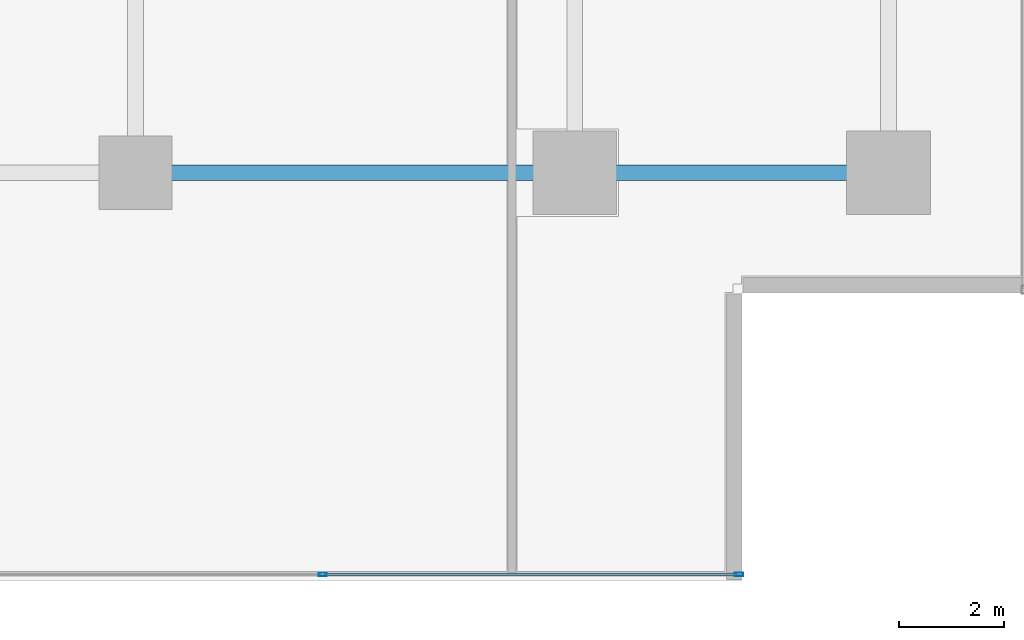
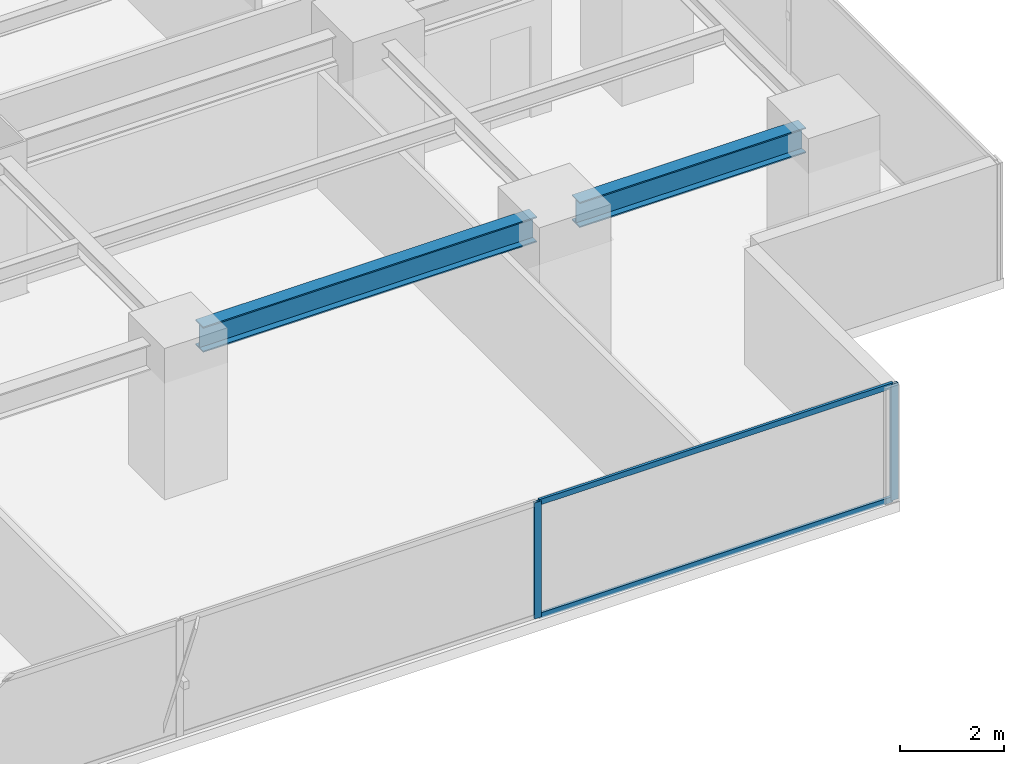
# One storey, part 12 of 34: 4 members, 2 beams, 1 element without a shape of its own.
"""IFC4 building model written with IfcOpenShell, lengths in metres."""

import ifcopenshell
import ifcopenshell.guid

model = None  # the IFC model being written
_history = None  # IfcOwnerHistory: only IFC2X3 demands one
_inside = {}  # id of a spatial element -> (the spatial element, [elements in it])
_under = {}  # id of a project, library or spatial element -> (it, [spatial elements below it])
_declared = {}  # id of a project -> (the project, [libraries it declares])
_typed = {}  # id of a type object -> (the type object, [elements of that type])
_made_of = {}  # id of a material, layer set ... -> (it, [elements and type objects made of it])


def new_model(schema):
    """Start an empty IFC model of exactly this schema.

    Asked for "IFC4X3", IfcOpenShell would pick the latest addendum, in which some entities
    have other attributes; the version numbers below select the first issue.
    IFC2X3 requires an IfcOwnerHistory on every rooted entity: one is made here for all.
    """
    global model, _history
    if schema == "IFC4X3":
        model = ifcopenshell.file(schema_version=(4, 3, 0, 0))
    else:
        model = ifcopenshell.file(schema=schema)
    _inside.clear()
    _under.clear()
    _declared.clear()
    _typed.clear()
    _made_of.clear()
    _history = None
    if model.schema == "IFC2X3":
        org = make("IfcOrganization", Name="unknown")
        user = make(
            "IfcPersonAndOrganization",
            ThePerson=make("IfcPerson", FamilyName="unknown"),
            TheOrganization=org,
        )
        app = make(
            "IfcApplication",
            ApplicationDeveloper=org,
            Version="unknown",
            ApplicationFullName="unknown",
            ApplicationIdentifier="unknown",
        )
        _history = make(
            "IfcOwnerHistory",
            OwningUser=user,
            OwningApplication=app,
            ChangeAction="ADDED",
            CreationDate=0,
        )
    return model


def make(cls, **values):
    """One entity of the class cls with the attributes given. An attribute that is None is left unset."""
    return model.create_entity(
        cls, **{name: value for name, value in values.items() if value is not None}
    )


def rooted(cls, **values):
    """An entity with a GlobalId (a new one), such as an element, a storey or a relation."""
    return make(cls, GlobalId=ifcopenshell.guid.new(), OwnerHistory=_history, **values)


def si_unit(unit_type, name, prefix=None):
    """IfcSIUnit, for example si_unit("LENGTHUNIT", "METRE", prefix="MILLI")."""
    return make("IfcSIUnit", UnitType=unit_type, Prefix=prefix, Name=name)


def assignment(units):
    """IfcUnitAssignment: the units of a project."""
    return None if units is None else make("IfcUnitAssignment", Units=units)


def point(xyz):
    """IfcCartesianPoint."""
    return None if xyz is None else make("IfcCartesianPoint", Coordinates=xyz)


def direction(xyz):
    """IfcDirection."""
    return None if xyz is None else make("IfcDirection", DirectionRatios=xyz)


def frame(location, z_axis=None, x_axis=None):
    """IfcAxis2Placement3D, a coordinate frame: its origin and axes. An axis left out is left unset."""
    return make(
        "IfcAxis2Placement3D",
        Location=point(location),
        Axis=direction(z_axis),
        RefDirection=direction(x_axis),
    )


def frame_2d(location, x_axis=None):
    """IfcAxis2Placement2D, a coordinate frame in the plane: its origin and x axis."""
    return make(
        "IfcAxis2Placement2D", Location=point(location), RefDirection=direction(x_axis)
    )


def origin():
    """The frame at (0, 0, 0) with its axes left unset."""
    return frame((0.0, 0.0, 0.0))


def origin_2d():
    """The frame at (0, 0) in the plane with its x axis left unset."""
    return frame_2d((0.0, 0.0))


def place(relative_to, where):
    """IfcLocalPlacement: puts the frame where relative to a parent placement (None: the world)."""
    return make(
        "IfcLocalPlacement", PlacementRelTo=relative_to, RelativePlacement=where
    )


def context(
    kind, dimensions, precision=None, world=None, true_north=None, identifier=None
):
    """IfcGeometricRepresentationContext, for example the 3D "Model" context."""
    return make(
        "IfcGeometricRepresentationContext",
        ContextIdentifier=identifier,
        ContextType=kind,
        CoordinateSpaceDimension=dimensions,
        Precision=precision,
        WorldCoordinateSystem=world,
        TrueNorth=true_north,
    )


def subcontext(parent, identifier, kind, view, scale=None):
    """IfcGeometricRepresentationSubContext, for example "Body" below "Model"."""
    return make(
        "IfcGeometricRepresentationSubContext",
        ContextIdentifier=identifier,
        ContextType=kind,
        ParentContext=parent,
        TargetScale=scale,
        TargetView=view,
    )


def project(units=None, contexts=None):
    """IfcProject with its units and contexts."""
    return rooted(
        "IfcProject",
        Name="project",
        RepresentationContexts=contexts,
        UnitsInContext=assignment(units),
    )


def spatial(cls, under=None, at=None, **own):
    """A site, building, storey or space (cls), placed at a placement, below another one or the project."""
    s = rooted(cls, ObjectPlacement=at, **own)
    if under is not None:
        _under.setdefault(under.id(), (under, []))[1].append(s)
    return s


def profile(cls, at=None, kind="AREA", **sizes):
    """A parametric profile (cls). Its sizes go by their IFC names, for example OverallWidth=200.0."""
    return make(cls, ProfileType=kind, Position=at, **sizes)


def hollow_rectangle(**sizes):
    """IfcRectangleHollowProfileDef."""
    return profile("IfcRectangleHollowProfileDef", **sizes)


def i_section(**sizes):
    """IfcIShapeProfileDef."""
    return profile("IfcIShapeProfileDef", **sizes)


def extrude(swept, where, along, depth):
    """IfcExtrudedAreaSolid: the profile swept, set in the frame where, extruded along a direction by depth."""
    return make(
        "IfcExtrudedAreaSolid",
        SweptArea=swept,
        Position=where,
        ExtrudedDirection=direction(along),
        Depth=depth,
    )


def shape(context_of_items, identifier, shape_type, items):
    """IfcShapeRepresentation: the items that make up one representation, for example the "Body"."""
    return make(
        "IfcShapeRepresentation",
        ContextOfItems=context_of_items,
        RepresentationIdentifier=identifier,
        RepresentationType=shape_type,
        Items=items,
    )


def source(mapping_origin, context_of_items, identifier, shape_type, items):
    """IfcRepresentationMap: a shape defined once, which mapped items show again and again."""
    return make(
        "IfcRepresentationMap",
        MappingOrigin=mapping_origin,
        MappedRepresentation=shape(context_of_items, identifier, shape_type, items),
    )


def transform(
    local_origin,
    x_axis=None,
    y_axis=None,
    z_axis=None,
    scale=None,
    scale2=None,
    scale3=None,
    uniform=True,
):
    """IfcCartesianTransformationOperator3D, or its non-uniform kind. x_axis, y_axis, z_axis: its Axis1, 2, 3."""
    if uniform:
        return make(
            "IfcCartesianTransformationOperator3D",
            Axis1=direction(x_axis),
            Axis2=direction(y_axis),
            LocalOrigin=point(local_origin),
            Scale=scale,
            Axis3=direction(z_axis),
        )
    return make(
        "IfcCartesianTransformationOperator3DnonUniform",
        Axis1=direction(x_axis),
        Axis2=direction(y_axis),
        LocalOrigin=point(local_origin),
        Scale=scale,
        Axis3=direction(z_axis),
        Scale2=scale2,
        Scale3=scale3,
    )


def mapped(mapping_source, mapping_target):
    """IfcMappedItem: shows the shape of a source again, moved by a transform."""
    return make(
        "IfcMappedItem", MappingSource=mapping_source, MappingTarget=mapping_target
    )


def material(Name=None, Category=None):
    """IfcMaterial."""
    return make("IfcMaterial", Name=Name, Category=Category)


def layer(
    of_material, thickness, ventilated=None, Name=None, Category=None, Priority=None
):
    """IfcMaterialLayer: one layer of a wall or slab, of a material (None: an air gap)."""
    return make(
        "IfcMaterialLayer",
        Material=of_material,
        LayerThickness=thickness,
        IsVentilated=ventilated,
        Name=Name,
        Category=Category,
        Priority=Priority,
    )


def layer_set(layers, Name=None):
    """IfcMaterialLayerSet."""
    return make("IfcMaterialLayerSet", MaterialLayers=layers, LayerSetName=Name)


def material_profile(
    of_material, cross_section, Name=None, Category=None, Priority=None
):
    """IfcMaterialProfile: a cross section and its material."""
    return make(
        "IfcMaterialProfile",
        Name=Name,
        Material=of_material,
        Profile=cross_section,
        Priority=Priority,
        Category=Category,
    )


def profile_set(profiles, Name=None, composite=None):
    """IfcMaterialProfileSet."""
    return make(
        "IfcMaterialProfileSet",
        Name=Name,
        MaterialProfiles=profiles,
        CompositeProfile=composite,
    )


def made_of(thing, what):
    """Note that an element or type object is made of a material, layer set ...; save() writes the relation."""
    if what is not None:
        _made_of.setdefault(what.id(), (what, []))[1].append(thing)
    return thing


def type_object(cls, material=None, **own):
    """A type object (cls), such as IfcWallType, which elements share."""
    return made_of(rooted(cls, **own), material)


def element(
    cls,
    number,
    at=None,
    inside=None,
    cuts=None,
    type_object=None,
    material=None,
    context=None,
    identifier="Body",
    shape_type=None,
    held_by="IfcProductDefinitionShape",
    body=None,
    shapes=None,
    **own,
):
    """One element of the class cls, such as IfcWall. Its Tag is "e" and its number.

    at: its placement. inside: the storey or other place that contains it. cuts: it is an
    opening in that element (IfcRelVoidsElement). A single representation is given by context,
    identifier, shape_type and body (its items); several are given by shapes. held_by: the class
    of the entity that holds the representations. save() writes the other relations.
    """
    e = rooted(cls, Tag="e%d" % number, ObjectPlacement=at, **own)
    if body is not None:
        shapes = [shape(context, identifier, shape_type, body)]
    if shapes is not None:
        e.Representation = make(held_by, Representations=shapes)
    if inside is not None:
        _inside.setdefault(inside.id(), (inside, []))[1].append(e)
    if cuts is not None:
        rooted(
            "IfcRelVoidsElement", RelatingBuildingElement=cuts, RelatedOpeningElement=e
        )
    if type_object is not None:
        _typed.setdefault(type_object.id(), (type_object, []))[1].append(e)
    return made_of(e, material)


def aggregate(whole, parts):
    """IfcRelAggregates: a whole, such as a stair, and the parts it consists of."""
    return rooted("IfcRelAggregates", RelatingObject=whole, RelatedObjects=parts)


def save(model, path):
    """Write the relations noted so far, then the file.

    IfcRelAggregates (storeys below a building ...), IfcRelContainedInSpatialStructure (elements
    in a storey), IfcRelDefinesByType, IfcRelAssociatesMaterial and IfcRelDeclares: one each for
    every whole, place, type object, material and project.
    """
    for whole, parts in _under.values():
        aggregate(whole, parts)
    for where, things in _inside.values():
        rooted(
            "IfcRelContainedInSpatialStructure",
            RelatedElements=things,
            RelatingStructure=where,
        )
    for kind, things in _typed.values():
        rooted("IfcRelDefinesByType", RelatedObjects=things, RelatingType=kind)
    for what, things in _made_of.values():
        rooted("IfcRelAssociatesMaterial", RelatedObjects=things, RelatingMaterial=what)
    for by, libraries in _declared.values():
        rooted("IfcRelDeclares", RelatingContext=by, RelatedDefinitions=libraries)
    model.write(path)


model = new_model("IFC4")

# Units and contexts
model_context = context("Model", 3, precision=1e-05, world=origin(), true_north=direction((0.0, 1.0)))
body_context = subcontext(model_context, "Body", "Model", "MODEL_VIEW")
ifc_project = project(units=[si_unit("LENGTHUNIT", "METRE"), si_unit("AREAUNIT", "SQUARE_METRE"), si_unit("VOLUMEUNIT", "CUBIC_METRE"), si_unit("PLANEANGLEUNIT", "RADIAN"), si_unit("MASSUNIT", "GRAM", prefix="KILO")], contexts=[model_context])

# Site, building, storey
site_placement = place(None, origin())
site = spatial("IfcSite", under=ifc_project, at=site_placement, CompositionType="ELEMENT")
building_placement = place(site_placement, origin())
building = spatial("IfcBuilding", under=site, at=building_placement, Name="Sumidabori Civic Tower", CompositionType="ELEMENT")
storey_placement = place(building_placement, frame((0.0, 0.0, 99.199951171875)))
storey = spatial("IfcBuildingStorey", under=building, at=storey_placement, Name="L25", CompositionType="ELEMENT", Elevation=99.199951171875)

# Beams
ifc_material_1 = material(Name="Steel SN490", Category="steel")
ifc_material_profile_1 = material_profile(ifc_material_1, i_section(OverallWidth=0.300048828125, OverallDepth=0.60009765625, WebThickness=0.015380859375, FlangeThickness=0.030029296875, at=origin_2d()), Name="HE 600 B")
ifc_profile_set_1 = profile_set([ifc_material_profile_1], Name="Steel SN490")
beam_type = type_object("IfcBeamType", Name="BM-GIRD-600", PredefinedType="BEAM", material=ifc_profile_set_1)
shared_shape_1 = source(origin(), body_context, "Body", "SweptSolid", [
    extrude(i_section(OverallWidth=0.300048828125, OverallDepth=0.60009765625, WebThickness=0.015380859375, FlangeThickness=0.030029296875, at=origin_2d()), origin(), (0.0, 0.0, 1.0), 5.0400390625),
])
beam_1_placement = place(storey_placement, frame((17.280029296875, -18.0, 3.06005859375), z_axis=(1.0, 0.0, 0.0), x_axis=(0.0, 1.0, 0.0)))
element("IfcBeam", 1, at=beam_1_placement, inside=storey, type_object=beam_type, Name="Primary Girder L25 GX-06", PredefinedType="BEAM", context=body_context, shape_type="MappedRepresentation", body=[
    mapped(shared_shape_1, transform((0.0, 0.0, 0.0), x_axis=(1.0, 0.0, 0.0), y_axis=(0.0, 1.0, 0.0), z_axis=(0.0, 0.0, 1.0), scale=1.0)),
])
shared_shape_2 = source(origin(), body_context, "Body", "SweptSolid", [
    extrude(i_section(OverallWidth=0.300048828125, OverallDepth=0.60009765625, WebThickness=0.015380859375, FlangeThickness=0.030029296875, at=origin_2d()), origin(), (0.0, 0.0, 1.0), 7.440185546875),
])
beam_2_placement = place(storey_placement, frame((8.8798828125, -18.0, 3.06005859375), z_axis=(1.0, 0.0, 0.0), x_axis=(0.0, 1.0, 0.0)))
element("IfcBeam", 2, at=beam_2_placement, inside=storey, type_object=beam_type, Name="Primary Girder L25 GX-05", PredefinedType="BEAM", context=body_context, shape_type="MappedRepresentation", body=[
    mapped(shared_shape_2, transform((0.0, 0.0, 0.0), x_axis=(1.0, 0.0, 0.0), y_axis=(0.0, 1.0, 0.0), z_axis=(0.0, 0.0, 1.0), scale=1.0)),
])

# Curtain wall, members
ifc_material_2 = material(Name="Anodised Bronze Aluminium AW-6063-T6", Category="aluminium")
ifc_layer = layer(ifc_material_2, 0.179931640625, Name="Anodised Bronze Aluminium AW-6063-T6")
ifc_layer_set = layer_set([ifc_layer], Name="Anodised Bronze Aluminium AW-6063-T6")
curtain_wall_type = type_object("IfcCurtainWallType", Name="CW-SYS-3", PredefinedType="NOTDEFINED", material=ifc_layer_set)
curtain_wall_placement = place(storey_placement, origin())
curtain_wall = element("IfcCurtainWall", 3, at=curtain_wall_placement, inside=storey, type_object=curtain_wall_type, Name="Curtain Wall CW:L25:R01", PredefinedType="NOTDEFINED")
ifc_material_profile_2 = material_profile(ifc_material_2, hollow_rectangle(XDim=0.06494140625, YDim=0.159912109375, WallThickness=0.0048828125, at=origin_2d()), Name="ALU MULLION 160x65")
ifc_profile_set_2 = profile_set([ifc_material_profile_2], Name="Anodised Bronze Aluminium AW-6063-T6")
member_type_1 = type_object("IfcMemberType", Name="CW-MUL-160", PredefinedType="MULLION", material=ifc_profile_set_2)
shared_shape_3 = source(origin(), body_context, "Body", "SweptSolid", [
    extrude(hollow_rectangle(XDim=0.06494140625, YDim=0.159912109375, WallThickness=0.0048828125, at=origin_2d()), origin(), (0.0, 0.0, 1.0), 2.739990234375),
])
member_1_placement = place(storey_placement, frame((11.98193359375, -25.679931640625, 0.0), z_axis=(0.0, 0.0, 1.0), x_axis=(0.0, 1.0, 0.0)))
member_1 = element("IfcMember", 4, at=member_1_placement, type_object=member_type_1, Name="CW-3 mullion 5", PredefinedType="MULLION", context=body_context, shape_type="MappedRepresentation", body=[
    mapped(shared_shape_3, transform((0.0, 0.0, 0.0), x_axis=(1.0, 0.0, 0.0), y_axis=(0.0, 1.0, 0.0), z_axis=(0.0, 0.0, 1.0), scale=1.0)),
])
member_2_placement = place(storey_placement, frame((19.9375, -25.679931640625, 0.0), z_axis=(0.0, 0.0, 1.0), x_axis=(0.0, 1.0, 0.0)))
member_2 = element("IfcMember", 5, at=member_2_placement, type_object=member_type_1, Name="CW-3 mullion 6", PredefinedType="MULLION", context=body_context, shape_type="MappedRepresentation", body=[
    mapped(shared_shape_3, transform((0.0, 0.0, 0.0), x_axis=(1.0, 0.0, 0.0), y_axis=(0.0, 1.0, 0.0), z_axis=(0.0, 0.0, 1.0), scale=1.0)),
])
ifc_material_profile_3 = material_profile(ifc_material_2, hollow_rectangle(XDim=0.06005859375, YDim=0.1298828125, WallThickness=0.0048828125, at=origin_2d()), Name="ALU TRANSOM 130x60")
ifc_profile_set_3 = profile_set([ifc_material_profile_3], Name="Anodised Bronze Aluminium AW-6063-T6")
member_type_2 = type_object("IfcMemberType", Name="CW-TRN-130", PredefinedType="USERDEFINED", material=ifc_profile_set_3)
shared_shape_4 = source(origin(), body_context, "Body", "SweptSolid", [
    extrude(hollow_rectangle(XDim=0.06005859375, YDim=0.1298828125, WallThickness=0.0048828125, at=origin_2d()), origin(), (0.0, 0.0, 1.0), 7.890625),
])
member_3_placement = place(storey_placement, frame((12.014404296875, -25.679931640625, 0.030029296875), z_axis=(1.0, 0.0, 0.0), x_axis=(0.0, 1.0, 0.0)))
member_3 = element("IfcMember", 6, at=member_3_placement, type_object=member_type_2, Name="CW-3 transom 5.1", ObjectType="TRANSOM", PredefinedType="USERDEFINED", context=body_context, shape_type="MappedRepresentation", body=[
    mapped(shared_shape_4, transform((0.0, 0.0, 0.0), x_axis=(1.0, 0.0, 0.0), y_axis=(0.0, 1.0, 0.0), z_axis=(0.0, 0.0, 1.0), scale=1.0)),
])
member_4_placement = place(storey_placement, frame((12.014404296875, -25.679931640625, 2.7099609375), z_axis=(1.0, 0.0, 0.0), x_axis=(0.0, 1.0, 0.0)))
member_4 = element("IfcMember", 7, at=member_4_placement, type_object=member_type_2, Name="CW-3 transom 5.2", ObjectType="TRANSOM", PredefinedType="USERDEFINED", context=body_context, shape_type="MappedRepresentation", body=[
    mapped(shared_shape_4, transform((0.0, 0.0, 0.0), x_axis=(1.0, 0.0, 0.0), y_axis=(0.0, 1.0, 0.0), z_axis=(0.0, 0.0, 1.0), scale=1.0)),
])
aggregate(curtain_wall, [member_1, member_2, member_3, member_4])

save(model, "model.ifc")
